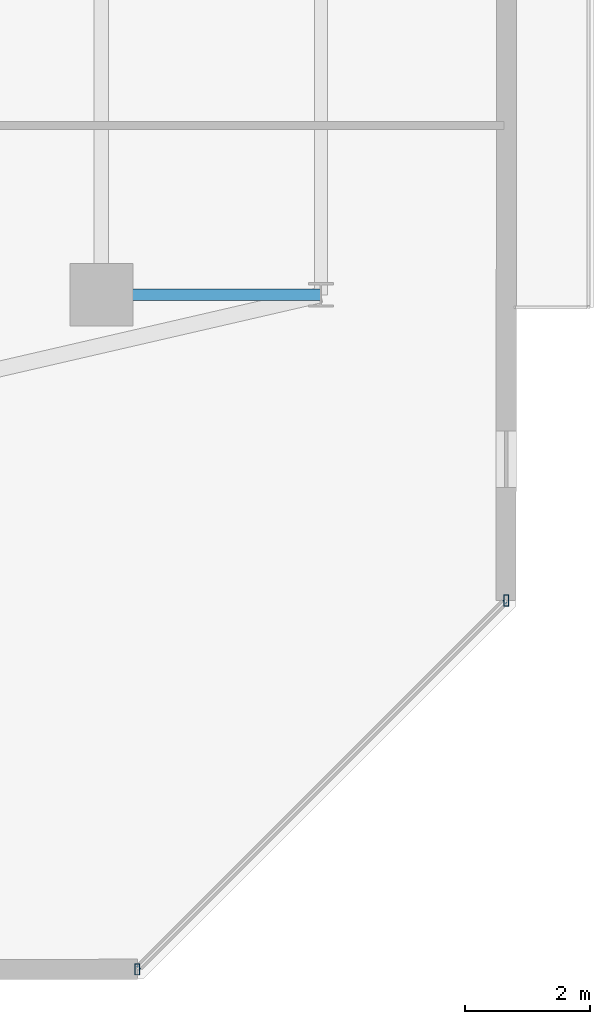
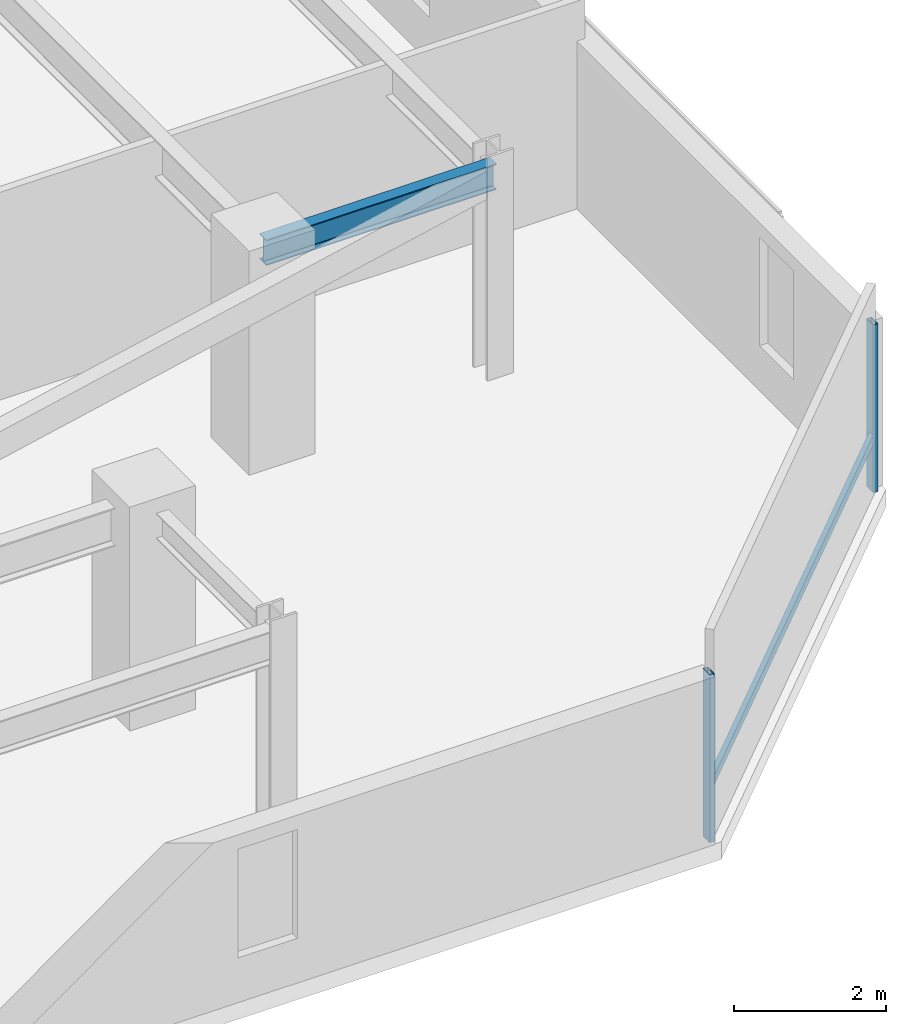
# One storey, part 12 of 31: 3 members, 1 beam, 1 element without a shape of its own.
"""IFC4 building model written with IfcOpenShell, lengths in metres."""

from ifc_helpers import new_model, si_unit, direction, frame, origin, origin_2d, place, context, subcontext, project, spatial, hollow_rectangle, i_section, extrude, material, material_profile, profile_set, type_object, element, aggregate, save


model = new_model("IFC4")

# Units and contexts
model_context = context("Model", 3, precision=1e-05, world=origin(), true_north=direction((0.0, 1.0)))
body_context = subcontext(model_context, "Body", "Model", "MODEL_VIEW")
ifc_project = project(units=[si_unit("LENGTHUNIT", "METRE"), si_unit("AREAUNIT", "SQUARE_METRE"), si_unit("VOLUMEUNIT", "CUBIC_METRE"), si_unit("PLANEANGLEUNIT", "RADIAN"), si_unit("MASSUNIT", "GRAM", prefix="KILO")], contexts=[model_context])

# Site, building, storey
site_placement = place(None, origin())
site = spatial("IfcSite", under=ifc_project, at=site_placement, CompositionType="ELEMENT")
building_placement = place(site_placement, origin())
building = spatial("IfcBuilding", under=site, at=building_placement, Name="Thornwick Lancets Civic Towers", CompositionType="ELEMENT")
storey_placement = place(building_placement, frame((0.0, 0.0, 233.10009765625)))
storey = spatial("IfcBuildingStorey", under=building, at=storey_placement, Name="L62", CompositionType="ELEMENT", Elevation=233.10009765625)

# Beam
ifc_material_1 = material(Name="Steel S355JR", Category="steel")
ifc_material_profile_1 = material_profile(ifc_material_1, i_section(OverallWidth=0.179443359375, OverallDepth=0.412841796875, WebThickness=0.009521484375, FlangeThickness=0.01611328125, FilletRadius=0.01025390625, at=origin_2d()), Name="UKB 406x178x74")
ifc_profile_set_1 = profile_set([ifc_material_profile_1], Name="Steel S355JR")
beam_type = type_object("IfcBeamType", Name="BM_JOIST_406_74", PredefinedType="JOIST", material=ifc_profile_set_1)
beam_placement = place(storey_placement, frame((105.800048828125, 14.0, 3.153564453125), z_axis=(1.0, 0.0, 0.0), x_axis=(0.0, 1.0, 0.0)))
element("IfcBeam", 1, at=beam_placement, inside=storey, type_object=beam_type, Name="BM-RAD-L62-B01", PredefinedType="JOIST", context=body_context, shape_type="SweptSolid", body=[
    extrude(i_section(OverallWidth=0.179443359375, OverallDepth=0.412841796875, WebThickness=0.009521484375, FlangeThickness=0.01611328125, FilletRadius=0.01025390625, at=origin_2d()), origin(), (0.0, 0.0, 1.0), 3.5),
])

# Curtain wall, members
ifc_material_2 = material(Name="High-zone chamfered-corner unitised glass curtain wall", Category="glass")
curtain_wall_type = type_object("IfcCurtainWallType", Name="CW_SYS_05", PredefinedType="NOTDEFINED", material=ifc_material_2)
curtain_wall_placement = place(storey_placement, origin())
curtain_wall = element("IfcCurtainWall", 2, at=curtain_wall_placement, inside=storey, type_object=curtain_wall_type, Name="L62 Curtain Wall CW-L62-B-E1", PredefinedType="NOTDEFINED")
ifc_material_3 = material(Name="Thermally broken bronze aluminium S355", Category="steel")
ifc_material_profile_2 = material_profile(ifc_material_3, hollow_rectangle(XDim=0.074951171875, YDim=0.179931640625, WallThickness=0.006103515625, at=origin_2d()), Name="RHS 180x75x6")
ifc_profile_set_2 = profile_set([ifc_material_profile_2], Name="Thermally broken bronze aluminium S355")
member_type_1 = type_object("IfcMemberType", Name="CW_MUL_180", PredefinedType="MULLION", material=ifc_profile_set_2)
member_1_placement = place(storey_placement, frame((106.372314453125, 3.246337890625, 0.0), z_axis=(0.0, 0.0, 1.0), x_axis=(1.0, 0.0, 0.0)))
member_1 = element("IfcMember", 3, at=member_1_placement, type_object=member_type_1, Name="CW-L62-B-E1 Mullion 0", PredefinedType="MULLION", context=body_context, shape_type="SweptSolid", body=[
    extrude(hollow_rectangle(XDim=0.074951171875, YDim=0.179931640625, WallThickness=0.006103515625, at=origin_2d()), origin(), (0.0, 0.0, 1.0), 2.699951171875),
])
member_2_placement = place(storey_placement, frame((112.253662109375, 9.127685546875, 0.0), z_axis=(0.0, 0.0, 1.0), x_axis=(1.0, 0.0, 0.0)))
member_2 = element("IfcMember", 4, at=member_2_placement, type_object=member_type_1, Name="CW-L62-B-E1 Mullion 1", PredefinedType="MULLION", context=body_context, shape_type="SweptSolid", body=[
    extrude(hollow_rectangle(XDim=0.074951171875, YDim=0.179931640625, WallThickness=0.006103515625, at=origin_2d()), origin(), (0.0, 0.0, 1.0), 2.699951171875),
])
ifc_material_profile_3 = material_profile(ifc_material_3, hollow_rectangle(XDim=0.074951171875, YDim=0.14990234375, WallThickness=0.0048828125, at=origin_2d()), Name="RHS 150x75x5")
ifc_profile_set_3 = profile_set([ifc_material_profile_3], Name="Thermally broken bronze aluminium S355")
member_type_2 = type_object("IfcMemberType", Name="CW_TRN_150", PredefinedType="USERDEFINED", material=ifc_profile_set_3)
member_3_placement = place(storey_placement, frame((106.38623046875, 3.260498046875, 0.849853515625), z_axis=(0.707106781187, 0.707106781187, 0.0), x_axis=(-0.707106781187, 0.707106781187, 0.0)))
member_3 = element("IfcMember", 5, at=member_3_placement, type_object=member_type_2, Name="CW-L62-B-E1 Transom 0", ObjectType="TRANSOM", PredefinedType="USERDEFINED", context=body_context, shape_type="SweptSolid", body=[
    extrude(hollow_rectangle(XDim=0.074951171875, YDim=0.14990234375, WallThickness=0.0048828125, at=origin_2d()), origin(), (0.0, 0.0, 1.0), 8.27783203125),
])
aggregate(curtain_wall, [member_1, member_2, member_3])

save(model, "model.ifc")
